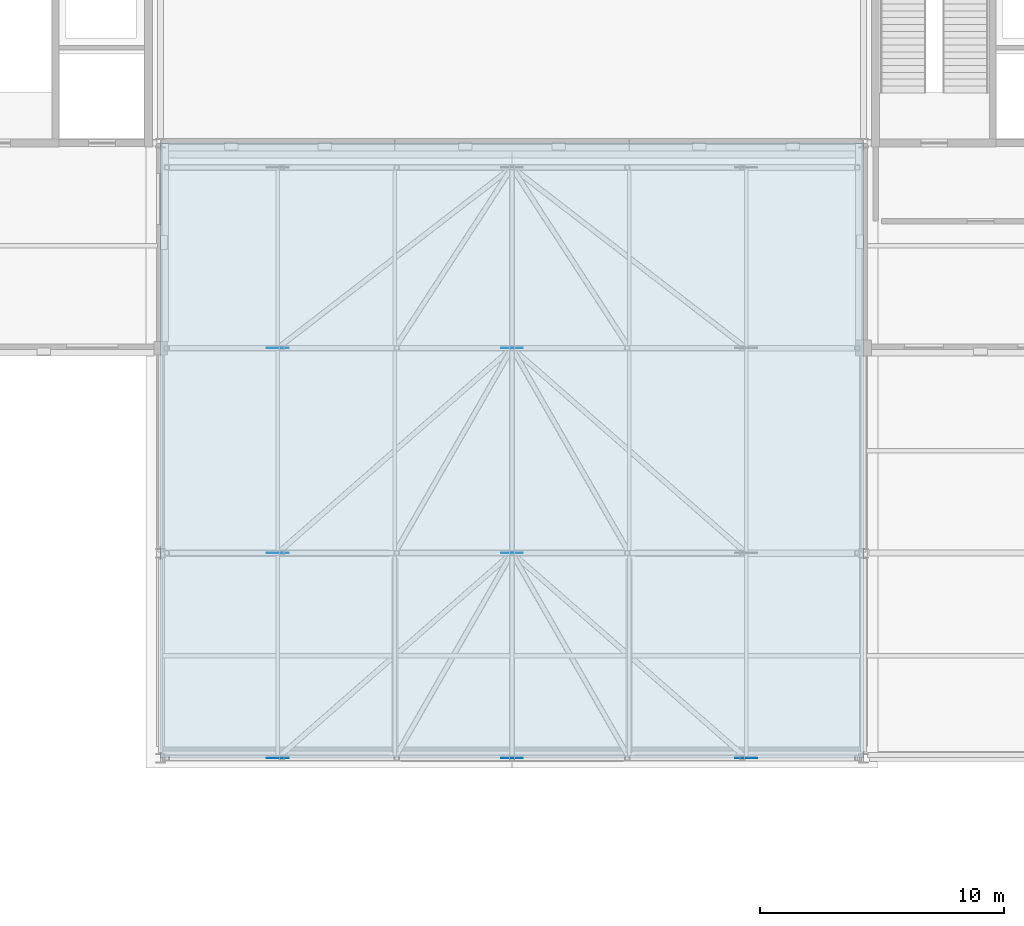
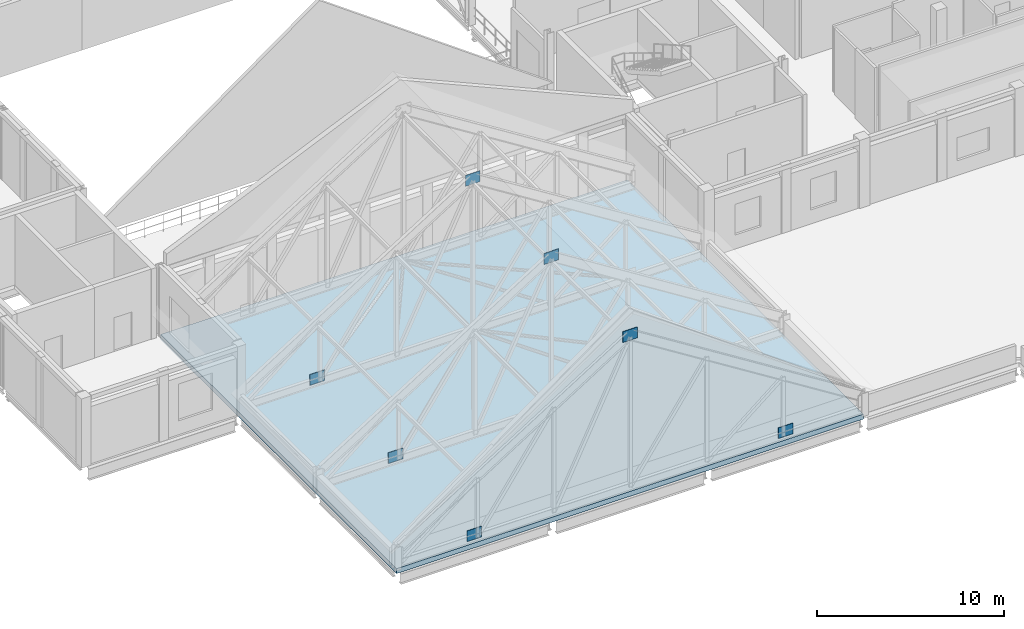
# One storey, part 17 of 26: 7 plates, 1 slab.
"""IFC4 building model written with IfcOpenShell, lengths in metres."""

from ifc_helpers import new_model, si_unit, direction, frame, origin, origin_2d, place, context, subcontext, project, spatial, polyline, rectangle, outline, extrude, material, layer, layer_set, type_object, element, save


model = new_model("IFC4")

# Units and contexts
model_context = context("Model", 3, precision=1e-05, world=origin(), true_north=direction((0.0, 1.0)))
body_context = subcontext(model_context, "Body", "Model", "MODEL_VIEW")
ifc_project = project(units=[si_unit("LENGTHUNIT", "METRE"), si_unit("AREAUNIT", "SQUARE_METRE"), si_unit("VOLUMEUNIT", "CUBIC_METRE"), si_unit("PLANEANGLEUNIT", "RADIAN"), si_unit("MASSUNIT", "GRAM", prefix="KILO")], contexts=[model_context])

# Site, building, storey
site_placement = place(None, origin())
site = spatial("IfcSite", under=ifc_project, at=site_placement, CompositionType="ELEMENT")
building_placement = place(site_placement, origin())
building = spatial("IfcBuilding", under=site, at=building_placement, Name="Lornevale Opera House", CompositionType="ELEMENT")
storey_placement = place(building_placement, frame((0.0, 0.0, 19.800048828125)))
storey = spatial("IfcBuildingStorey", under=building, at=storey_placement, Name="L05", CompositionType="ELEMENT", Elevation=19.800048828125)

# Plates
ifc_material_1 = material(Name="Structural Steel CSA G40.21 Grade 350W (350 MPa)", Category="steel")
ifc_layer_1 = layer(ifc_material_1, 0.028076171875)
ifc_layer_set_1 = layer_set([ifc_layer_1], Name="Structural Steel CSA G40.21 Grade 350W (350 MPa)")
plate_type = type_object("IfcPlateType", Name="Auditorium Truss Gusset 900x700x28", PredefinedType="USERDEFINED", material=ifc_layer_set_1)
for number, where, z_axis, x_axis, name in (
    (1, (81.60009765625, 33.60009765625, 9.873046875), (0.0, 0.0, 1.0), (1.0, 0.0, 0.0), "Auditorium Truss Gusset PT-0009"),
    (2, (72.0, 33.60009765625, 0.25), (0.0, 0.0, 1.0), (1.0, 0.0, 0.0), "Auditorium Truss Gusset PT-0010"),
    (3, (91.199951171875, 33.60009765625, 0.25), (0.0, 0.0, 1.0), (1.0, 0.0, 0.0), "Auditorium Truss Gusset PT-0011"),
    (4, (81.60009765625, 42.0, 9.873046875), (0.0, 0.0, 1.0), (1.0, 0.0, 0.0), "Auditorium Truss Gusset PT-0012"),
    (5, (72.0, 42.0, 0.25), (0.0, 0.0, 1.0), (1.0, 0.0, 0.0), "Auditorium Truss Gusset PT-0013"),
    (6, (81.60009765625, 50.39990234375, 9.873046875), (0.0, 0.0, 1.0), (1.0, 0.0, 0.0), "Auditorium Truss Gusset PT-0018"),
    (7, (72.0, 50.39990234375, 0.25), (0.0, 0.0, 1.0), (1.0, 0.0, 0.0), "Auditorium Truss Gusset PT-0019"),
):
    element("IfcPlate", number, at=place(storey_placement, frame(where, z_axis=z_axis, x_axis=x_axis)), inside=storey, type_object=plate_type, Name=name, ObjectType="GUSSET PLATE", PredefinedType="USERDEFINED", context=body_context, shape_type="SweptSolid", body=[
        extrude(rectangle(XDim=0.89990234375, YDim=0.028076171875, at=origin_2d()), origin(), (0.0, 0.0, 1.0), 0.699951171875),
    ])

# Slab
ifc_material_2 = material(Name="Concrete 40 MPa (CSA A23.1 C-1)", Category="concrete")
ifc_layer_2 = layer(ifc_material_2, 0.320068359375)
ifc_layer_set_2 = layer_set([ifc_layer_2], Name="Concrete 40 MPa (CSA A23.1 C-1)")
slab_type = type_object("IfcSlabType", Name="Stagehouse Acoustic Roof Slab 320", PredefinedType="ROOF", material=ifc_layer_set_2)
slab_placement = place(storey_placement, frame((0.0, 0.0, -0.320068359375)))
element("IfcSlab", 8, at=slab_placement, inside=storey, type_object=slab_type, Name="Auditorium Acoustic Ceiling Slab SL-069", PredefinedType="ROOF", context=body_context, shape_type="SweptSolid", body=[
    extrude(outline(polyline([(67.199951171875, 33.60009765625), (96.0, 33.60009765625), (96.0, 58.800048828125), (67.199951171875, 58.800048828125), (67.199951171875, 33.60009765625)])), origin(), (0.0, 0.0, 1.0), 0.320068359375),
])

save(model, "model.ifc")
